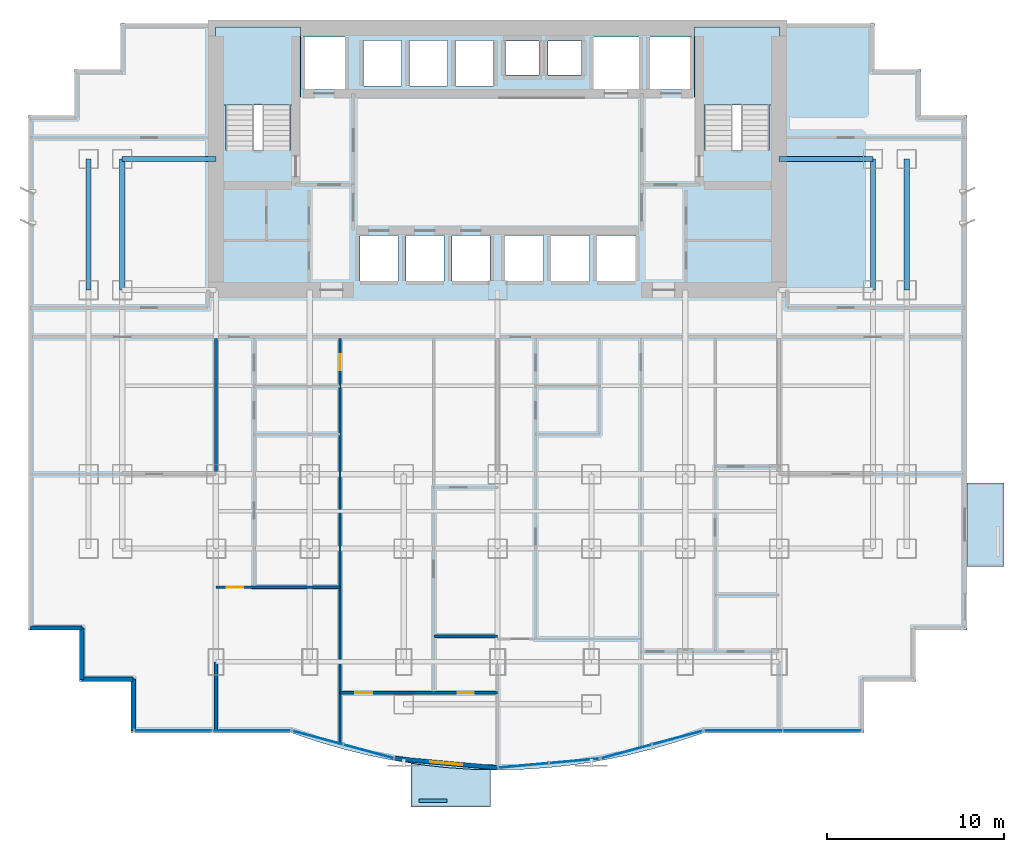
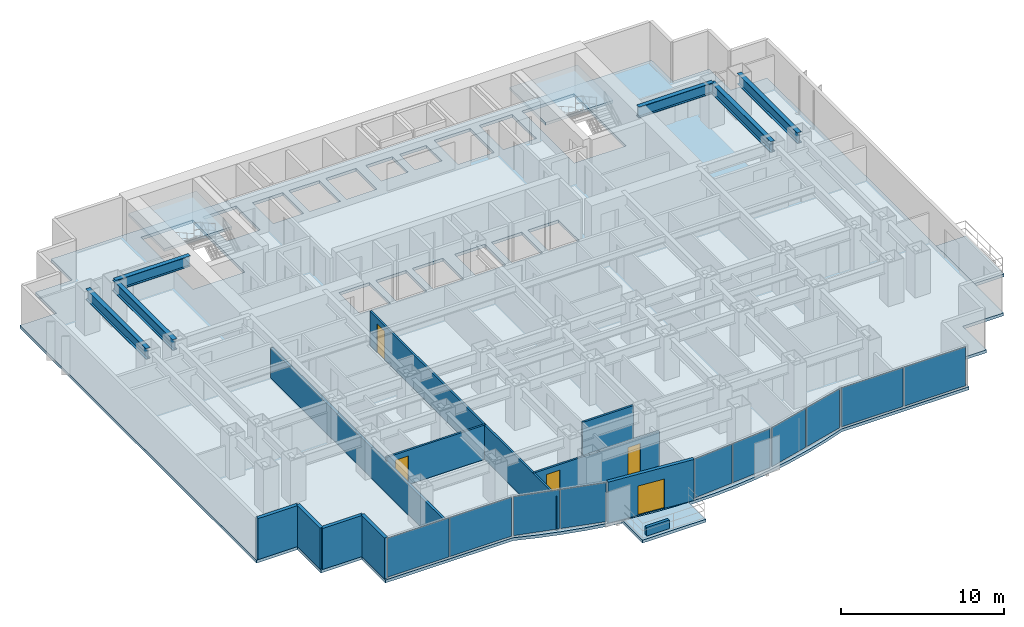
# One storey, part 4 of 10: 11 walls, 10 plates, 6 beams, 5 doors, 5 slabs, 5 openings, 7 elements without a shape of their own.
"""IFC4 building model written with IfcOpenShell, lengths in metres."""

from ifc_helpers import new_model, si_unit, direction, frame, frame_2d, origin, origin_2d, place, context, subcontext, project, spatial, polyline, rectangle, i_section, outline, extrude, source, transform, mapped, material, layer, layer_set, material_profile, profile_set, type_object, element, fill, aggregate, save


model = new_model("IFC4")

# Units and contexts
model_context = context("Model", 3, precision=1e-05, world=origin(), true_north=direction((0.0, 1.0)))
body_context = subcontext(model_context, "Body", "Model", "MODEL_VIEW")
ifc_project = project(units=[si_unit("LENGTHUNIT", "METRE"), si_unit("AREAUNIT", "SQUARE_METRE"), si_unit("VOLUMEUNIT", "CUBIC_METRE"), si_unit("PLANEANGLEUNIT", "RADIAN"), si_unit("MASSUNIT", "GRAM", prefix="KILO")], contexts=[model_context])

# Site, building, storey
site_placement = place(None, origin())
site = spatial("IfcSite", under=ifc_project, at=site_placement, CompositionType="ELEMENT")
building_placement = place(site_placement, origin())
building = spatial("IfcBuilding", under=site, at=building_placement, Name="Qianlan Lanfeng Residences", CompositionType="ELEMENT")
storey_placement = place(building_placement, frame((0.0, 0.0, 50.60009765625)))
storey = spatial("IfcBuildingStorey", under=building, at=storey_placement, Name="L13", CompositionType="ELEMENT", Elevation=50.60009765625)

# Beams
ifc_material_1 = material(Name="Steel SN490B", Category="steel")
ifc_material_profile = material_profile(ifc_material_1, i_section(OverallWidth=0.300048828125, OverallDepth=0.800048828125, WebThickness=0.01611328125, FlangeThickness=0.028076171875, at=origin_2d()), Name="H 800x300x16x28")
ifc_profile_set = profile_set([ifc_material_profile], Name="Steel SN490B")
beam_type = type_object("IfcBeamType", Name="G-950", PredefinedType="BEAM", material=ifc_profile_set)
for number, where, z_axis, x_axis, name in (
    (1, (5.300048828125, 32.60009765625, 2.679931640625), (1.0, 0.0, 0.0), (0.0, 1.0, 0.0), "Structural beam G-950"),
    (2, (42.39990234375, 32.60009765625, 2.679931640625), (1.0, 0.0, 0.0), (0.0, 1.0, 0.0), "Structural beam G-950"),
):
    element("IfcBeam", number, at=place(storey_placement, frame(where, z_axis=z_axis, x_axis=x_axis)), inside=storey, type_object=beam_type, Name=name, PredefinedType="BEAM", context=body_context, shape_type="SweptSolid", body=[
        extrude(i_section(OverallWidth=0.300048828125, OverallDepth=0.800048828125, WebThickness=0.01611328125, FlangeThickness=0.028076171875, at=origin_2d()), origin(), (0.0, 0.0, 1.0), 5.300048828125),
    ])
for number, where, z_axis, x_axis, name in (
    (3, (3.39990234375, 25.199951171875, 2.679931640625), (0.0, 1.0, 0.0), (-1.0, 0.0, 0.0), "Structural beam G-950"),
    (4, (5.300048828125, 25.199951171875, 2.679931640625), (0.0, 1.0, 0.0), (-1.0, 0.0, 0.0), "Structural beam G-950"),
    (5, (47.699951171875, 25.199951171875, 2.679931640625), (0.0, 1.0, 0.0), (-1.0, 0.0, 0.0), "Structural beam G-950"),
    (6, (49.60009765625, 25.199951171875, 2.679931640625), (0.0, 1.0, 0.0), (-1.0, 0.0, 0.0), "Structural beam G-950"),
):
    element("IfcBeam", number, at=place(storey_placement, frame(where, z_axis=z_axis, x_axis=x_axis)), inside=storey, type_object=beam_type, Name=name, PredefinedType="BEAM", context=body_context, shape_type="SweptSolid", body=[
        extrude(i_section(OverallWidth=0.300048828125, OverallDepth=0.800048828125, WebThickness=0.01611328125, FlangeThickness=0.028076171875, at=origin_2d()), origin(), (0.0, 0.0, 1.0), 7.400146484375),
    ])

# Slabs
ifc_material_2 = material(Name="Concrete C42", Category="concrete")
ifc_layer_1 = layer(ifc_material_2, 0.219970703125)
ifc_layer_set_1 = layer_set([ifc_layer_1], Name="Concrete C42")
slab_type_1 = type_object("IfcSlabType", Name="S-BAL-220", PredefinedType="FLOOR", material=ifc_layer_set_1)
slab_1_placement = place(storey_placement, frame((0.0, 0.0, -0.22021484375)))
element("IfcSlab", 7, at=slab_1_placement, inside=storey, type_object=slab_type_1, Name="L13 Planted Tree Balcony Slab SB-C", PredefinedType="FLOOR", context=body_context, shape_type="SweptSolid", body=[
    extrude(outline(polyline([(26.10009765625, -1.89111328125), (25.0439453125, -1.866943359375), (23.5869140625, -1.76904296875), (22.131103515625, -1.60498046875), (21.60009765625, -1.52099609375), (21.60009765625, -4.0), (26.10009765625, -4.0), (26.10009765625, -1.89111328125)])), origin(), (0.0, 0.0, 1.0), 0.22021484375),
])
slab_2_placement = place(storey_placement, frame((0.0, 0.0, -0.22021484375)))
element("IfcSlab", 8, at=slab_2_placement, inside=storey, type_object=slab_type_1, Name="L13 Planted Tree Balcony Slab EB-S", PredefinedType="FLOOR", context=body_context, shape_type="SweptSolid", body=[
    extrude(outline(polyline([(53.0, 14.300048828125), (53.0, 9.60009765625), (55.10009765625, 9.60009765625), (55.10009765625, 14.300048828125), (53.0, 14.300048828125)])), origin(), (0.0, 0.0, 1.0), 0.22021484375),
])
ifc_layer_2 = layer(ifc_material_2, 0.219970703125)
ifc_layer_set_2 = layer_set([ifc_layer_2], Name="Concrete C42")
slab_type_2 = type_object("IfcSlabType", Name="S-FL-220", PredefinedType="FLOOR", material=ifc_layer_set_2)
slab_3_placement = place(storey_placement, frame((0.0, 0.0, -0.22021484375)))
element("IfcSlab", 9, at=slab_3_placement, inside=storey, type_object=slab_type_2, Name="L13 Structural Floor Slab", PredefinedType="FLOOR", context=body_context, shape_type="SweptSolid", body=[
    extrude(outline(polyline([(0.0, 6.0), (2.89990234375, 6.0), (2.89990234375, 3.10009765625), (5.800048828125, 3.10009765625), (5.800048828125, 0.199951171875), (14.85009765625, 0.199951171875), (16.305908203125, -0.2919921875), (17.761962890625, -0.718994140625), (19.218994140625, -1.080078125), (20.675048828125, -1.375), (22.131103515625, -1.60498046875), (23.5869140625, -1.76904296875), (25.0439453125, -1.866943359375), (26.5, -1.89990234375), (27.9560546875, -1.866943359375), (29.412109375, -1.76904296875), (30.868896484375, -1.60498046875), (32.324951171875, -1.375), (33.781005859375, -1.080078125), (35.237060546875, -0.718994140625), (36.694091796875, -0.2919921875), (38.14990234375, 0.199951171875), (47.199951171875, 0.199951171875), (47.199951171875, 3.10009765625), (50.10009765625, 3.10009765625), (50.10009765625, 6.0), (53.0, 6.0), (53.0, 35.050048828125), (50.39990234375, 35.050048828125), (50.39990234375, 37.64990234375), (47.800048828125, 37.64990234375), (47.800048828125, 40.25), (5.199951171875, 40.25), (5.199951171875, 37.64990234375), (2.60009765625, 37.64990234375), (2.60009765625, 35.050048828125), (0.0, 35.050048828125), (0.0, 6.0)]), holes=[polyline([(11.139892578125, 33.080078125), (11.139892578125, 39.5), (14.820068359375, 39.5), (14.820068359375, 33.080078125), (11.139892578125, 33.080078125)]), polyline([(38.179931640625, 33.080078125), (38.179931640625, 39.5), (41.860107421875, 39.5), (41.860107421875, 33.080078125), (38.179931640625, 33.080078125)]), polyline([(15.52001953125, 36.52001953125), (15.52001953125, 39.47998046875), (17.8798828125, 39.47998046875), (17.8798828125, 36.52001953125), (15.52001953125, 36.52001953125)]), polyline([(35.1201171875, 36.52001953125), (35.1201171875, 39.47998046875), (37.47998046875, 39.47998046875), (37.47998046875, 36.52001953125), (35.1201171875, 36.52001953125)]), polyline([(31.919921875, 36.52001953125), (31.919921875, 39.47998046875), (34.47998046875, 39.47998046875), (34.47998046875, 36.52001953125), (31.919921875, 36.52001953125)]), polyline([(18.719970703125, 25.719970703125), (18.719970703125, 28.280029296875), (20.8798828125, 28.280029296875), (20.8798828125, 25.719970703125), (18.719970703125, 25.719970703125)]), polyline([(21.320068359375, 25.719970703125), (21.320068359375, 28.280029296875), (23.47998046875, 28.280029296875), (23.47998046875, 25.719970703125), (21.320068359375, 25.719970703125)]), polyline([(23.919921875, 25.719970703125), (23.919921875, 28.280029296875), (26.080078125, 28.280029296875), (26.080078125, 25.719970703125), (23.919921875, 25.719970703125)]), polyline([(26.919921875, 25.719970703125), (26.919921875, 28.280029296875), (29.080078125, 28.280029296875), (29.080078125, 25.719970703125), (26.919921875, 25.719970703125)]), polyline([(29.52001953125, 25.719970703125), (29.52001953125, 28.280029296875), (31.679931640625, 28.280029296875), (31.679931640625, 25.719970703125), (29.52001953125, 25.719970703125)]), polyline([(32.1201171875, 25.719970703125), (32.1201171875, 28.280029296875), (34.280029296875, 28.280029296875), (34.280029296875, 25.719970703125), (32.1201171875, 25.719970703125)]), polyline([(18.919921875, 36.719970703125), (18.919921875, 39.280029296875), (21.080078125, 39.280029296875), (21.080078125, 36.719970703125), (18.919921875, 36.719970703125)]), polyline([(21.52001953125, 36.719970703125), (21.52001953125, 39.280029296875), (23.679931640625, 39.280029296875), (23.679931640625, 36.719970703125), (21.52001953125, 36.719970703125)]), polyline([(24.1201171875, 36.719970703125), (24.1201171875, 39.280029296875), (26.280029296875, 39.280029296875), (26.280029296875, 36.719970703125), (24.1201171875, 36.719970703125)]), polyline([(26.949951171875, 37.35009765625), (26.949951171875, 39.25), (28.85009765625, 39.25), (28.85009765625, 37.35009765625), (26.949951171875, 37.35009765625)]), polyline([(29.35009765625, 37.35009765625), (29.35009765625, 39.25), (31.25, 39.25), (31.25, 37.35009765625), (29.35009765625, 37.35009765625)])]), origin(), (0.0, 0.0, 1.0), 0.22021484375),
])

# Stair, slab
stair_type = type_object("IfcStairType", Name="STR-MAIN", PredefinedType="HALF_TURN_STAIR", material=ifc_material_2)
stair_1_placement = place(storey_placement, origin())
stair_1 = element("IfcStair", 10, at=stair_1_placement, inside=storey, type_object=stair_type, Name="L13 Exit Stair ST-1", PredefinedType="HALF_TURN_STAIR")
ifc_layer_3 = layer(ifc_material_2, 0.179931640625)
ifc_layer_set_3 = layer_set([ifc_layer_3], Name="Concrete C42")
slab_type_3 = type_object("IfcSlabType", Name="S-LND-180", PredefinedType="LANDING", material=ifc_layer_set_3)
slab_4_placement = place(storey_placement, frame((0.0, 0.0, 1.449951171875)))
slab_4 = element("IfcSlab", 11, at=slab_4_placement, type_object=slab_type_3, Name="ST-1 landing 1", PredefinedType="LANDING", context=body_context, shape_type="SweptSolid", body=[
    extrude(outline(polyline([(10.580078125, 35.659912109375), (15.3798828125, 35.659912109375), (15.3798828125, 40.050048828125), (10.580078125, 40.050048828125), (10.580078125, 35.659912109375)])), origin(), (0.0, 0.0, 1.0), 0.199951171875),
])
aggregate(stair_1, [slab_4])

stair_2_placement = place(storey_placement, origin())
stair_2 = element("IfcStair", 12, at=stair_2_placement, inside=storey, type_object=stair_type, Name="L13 Exit Stair ST-2", PredefinedType="HALF_TURN_STAIR")
slab_5_placement = place(storey_placement, frame((0.0, 0.0, 1.449951171875)))
slab_5 = element("IfcSlab", 13, at=slab_5_placement, type_object=slab_type_3, Name="ST-2 landing 1", PredefinedType="LANDING", context=body_context, shape_type="SweptSolid", body=[
    extrude(outline(polyline([(37.6201171875, 35.659912109375), (42.419921875, 35.659912109375), (42.419921875, 40.050048828125), (37.6201171875, 40.050048828125), (37.6201171875, 35.659912109375)])), origin(), (0.0, 0.0, 1.0), 0.199951171875),
])
aggregate(stair_2, [slab_5])

# Curtain wall, plate
ifc_material_3 = material(Name="Anodised Bronze Aluminium 6063-T6", Category="aluminium")
ifc_layer_4 = layer(ifc_material_3, 0.219970703125)
ifc_layer_set_4 = layer_set([ifc_layer_4], Name="Anodised Bronze Aluminium 6063-T6")
curtain_wall_type = type_object("IfcCurtainWallType", Name="CW-02", PredefinedType="NOTDEFINED", material=ifc_layer_set_4)
curtain_wall_1_placement = place(storey_placement, origin())
curtain_wall_1 = element("IfcCurtainWall", 14, at=curtain_wall_1_placement, inside=storey, type_object=curtain_wall_type, Name="L13 Unitised Curtain Wall CWR-L13-02 (CW-02)", PredefinedType="NOTDEFINED")
ifc_material_4 = material(Name="Dark Bronze Tinted Insulated Glass", Category="glass")
ifc_layer_5 = layer(ifc_material_4, 0.0380859375)
ifc_layer_set_5 = layer_set([ifc_layer_5], Name="Dark Bronze Tinted Insulated Glass")
plate_type_1 = type_object("IfcPlateType", Name="PNL-GLZ-BRZ", PredefinedType="CURTAIN_PANEL", material=ifc_layer_set_5)
shared_shape_1 = source(origin(), body_context, "Body", "SweptSolid", [
    extrude(rectangle(XDim=2.89990234375, YDim=0.0380859375, at=origin_2d()), origin(), (0.0, 0.0, 1.0), 2.922119140625),
])
plate_1_placement = place(storey_placement, frame((16.345703125, -0.07958984375, 0.07861328125), z_axis=(0.0, 0.0, 1.0), x_axis=(0.9652627173, -0.261281240412, 0.0)))
plate_1 = element("IfcPlate", 15, at=plate_1_placement, type_object=plate_type_1, Name="CWR-L13-02 Curtain Panel 1", PredefinedType="CURTAIN_PANEL", context=body_context, shape_type="MappedRepresentation", body=[
    mapped(shared_shape_1, transform((0.0, 0.0, 0.0), scale=1.0)),
])

curtain_wall_2_placement = place(storey_placement, origin())
curtain_wall_2 = element("IfcCurtainWall", 16, at=curtain_wall_2_placement, inside=storey, type_object=curtain_wall_type, Name="L13 Unitised Curtain Wall CWR-L13-04 (CW-02)", PredefinedType="NOTDEFINED")
plate_2_placement = place(storey_placement, frame((33.77978515625, -0.857421875, 0.07861328125), z_axis=(0.0, 0.0, 1.0), x_axis=(0.9652627173, 0.261281240412, 0.0)))
plate_2 = element("IfcPlate", 17, at=plate_2_placement, type_object=plate_type_1, Name="CWR-L13-04 Curtain Panel 1", PredefinedType="CURTAIN_PANEL", context=body_context, shape_type="MappedRepresentation", body=[
    mapped(shared_shape_1, transform((0.0, 0.0, 0.0), scale=1.0)),
])

# Curtain wall, plates
curtain_wall_3_placement = place(storey_placement, origin())
curtain_wall_3 = element("IfcCurtainWall", 18, at=curtain_wall_3_placement, inside=storey, type_object=curtain_wall_type, Name="L13 Unitised Curtain Wall CWR-L13-03 (CW-02)", PredefinedType="NOTDEFINED")
shared_shape_2 = source(origin(), body_context, "Body", "SweptSolid", [
    extrude(rectangle(XDim=2.7958984375, YDim=0.0380859375, at=origin_2d()), origin(), (0.0, 0.0, 1.0), 2.922119140625),
])
plate_3_placement = place(storey_placement, frame((27.970947265625, -1.6474609375, 0.07861328125), z_axis=(0.0, 0.0, 1.0), x_axis=(0.995964677764, 0.089746089862, 0.0)))
plate_3 = element("IfcPlate", 19, at=plate_3_placement, type_object=plate_type_1, Name="CWR-L13-03 Curtain Panel 1", PredefinedType="CURTAIN_PANEL", context=body_context, shape_type="MappedRepresentation", body=[
    mapped(shared_shape_2, transform((0.0, 0.0, 0.0), scale=1.0)),
])
shared_shape_3 = source(origin(), body_context, "Body", "SweptSolid", [
    extrude(rectangle(XDim=2.795654296875, YDim=0.0380859375, at=origin_2d()), origin(), (0.0, 0.0, 1.0), 2.922119140625),
])
plate_4_placement = place(storey_placement, frame((30.8330078125, -1.389404296875, 0.07861328125), z_axis=(0.0, 0.0, 1.0), x_axis=(0.995964677764, 0.089746089862, 0.0)))
plate_4 = element("IfcPlate", 20, at=plate_4_placement, type_object=plate_type_1, Name="CWR-L13-03 Curtain Panel 2", PredefinedType="CURTAIN_PANEL", context=body_context, shape_type="MappedRepresentation", body=[
    mapped(shared_shape_3, transform((0.0, 0.0, 0.0), scale=1.0)),
])
aggregate(curtain_wall_3, [plate_3, plate_4])

# Plate
ifc_material_5 = material(Name="Perforated Anodised Bronze Aluminium Panel", Category="aluminium")
ifc_layer_6 = layer(ifc_material_5, 0.0419921875)
ifc_layer_set_6 = layer_set([ifc_layer_6], Name="Perforated Anodised Bronze Aluminium Panel")
plate_type_2 = type_object("IfcPlateType", Name="PNL-PRF-BRZ", PredefinedType="CURTAIN_PANEL", material=ifc_layer_set_6)
shared_shape_4 = source(origin(), body_context, "Body", "SweptSolid", [
    extrude(rectangle(XDim=2.89990234375, YDim=0.0419921875, at=origin_2d()), origin(), (0.0, 0.0, 1.0), 2.922119140625),
])
plate_5_placement = place(storey_placement, frame((19.22021484375, -0.857421875, 0.07861328125), z_axis=(0.0, 0.0, 1.0), x_axis=(0.9652627173, -0.261281240412, 0.0)))
plate_5 = element("IfcPlate", 21, at=plate_5_placement, type_object=plate_type_2, Name="CWR-L13-02 Curtain Panel 2", PredefinedType="CURTAIN_PANEL", context=body_context, shape_type="MappedRepresentation", body=[
    mapped(shared_shape_4, transform((0.0, 0.0, 0.0), scale=1.0)),
])

aggregate(curtain_wall_1, [plate_1, plate_5])

plate_6_placement = place(storey_placement, frame((36.654296875, -0.07958984375, 0.07861328125), z_axis=(0.0, 0.0, 1.0), x_axis=(0.9652627173, 0.261281240412, 0.0)))
plate_6 = element("IfcPlate", 22, at=plate_6_placement, type_object=plate_type_2, Name="CWR-L13-04 Curtain Panel 2", PredefinedType="CURTAIN_PANEL", context=body_context, shape_type="MappedRepresentation", body=[
    mapped(shared_shape_4, transform((0.0, 0.0, 0.0), scale=1.0)),
])

aggregate(curtain_wall_2, [plate_2, plate_6])

# Curtain wall, plates
curtain_wall_4_placement = place(storey_placement, origin())
curtain_wall_4 = element("IfcCurtainWall", 23, at=curtain_wall_4_placement, inside=storey, type_object=curtain_wall_type, Name="L13 Unitised Curtain Wall CWR-L13-01 (CW-02)", PredefinedType="NOTDEFINED")
shared_shape_5 = source(origin(), body_context, "Body", "SweptSolid", [
    extrude(rectangle(XDim=4.35693359375, YDim=0.0380859375, at=origin_2d()), origin(), (0.0, 0.0, 1.0), 2.922119140625),
])
plate_7_placement = place(storey_placement, frame((8.177490234375, 0.320068359375, 0.07861328125), z_axis=(0.0, 0.0, 1.0), x_axis=(1.0, 0.0, 0.0)))
plate_7 = element("IfcPlate", 24, at=plate_7_placement, type_object=plate_type_1, Name="CWR-L13-01 Curtain Panel 1", PredefinedType="CURTAIN_PANEL", context=body_context, shape_type="MappedRepresentation", body=[
    mapped(shared_shape_5, transform((0.0, 0.0, 0.0), scale=1.0)),
])
plate_8_placement = place(storey_placement, frame((12.612548828125, 0.320068359375, 0.07861328125), z_axis=(0.0, 0.0, 1.0), x_axis=(1.0, 0.0, 0.0)))
plate_8 = element("IfcPlate", 25, at=plate_8_placement, type_object=plate_type_1, Name="CWR-L13-01 Curtain Panel 2", PredefinedType="CURTAIN_PANEL", context=body_context, shape_type="MappedRepresentation", body=[
    mapped(shared_shape_5, transform((0.0, 0.0, 0.0), scale=1.0)),
])
aggregate(curtain_wall_4, [plate_7, plate_8])

curtain_wall_5_placement = place(storey_placement, origin())
curtain_wall_5 = element("IfcCurtainWall", 26, at=curtain_wall_5_placement, inside=storey, type_object=curtain_wall_type, Name="L13 Unitised Curtain Wall CWR-L13-05 (CW-02)", PredefinedType="NOTDEFINED")
plate_9_placement = place(storey_placement, frame((40.387451171875, 0.320068359375, 0.07861328125), z_axis=(0.0, 0.0, 1.0), x_axis=(1.0, 0.0, 0.0)))
plate_9 = element("IfcPlate", 27, at=plate_9_placement, type_object=plate_type_1, Name="CWR-L13-05 Curtain Panel 1", PredefinedType="CURTAIN_PANEL", context=body_context, shape_type="MappedRepresentation", body=[
    mapped(shared_shape_5, transform((0.0, 0.0, 0.0), scale=1.0)),
])
plate_10_placement = place(storey_placement, frame((44.822509765625, 0.320068359375, 0.07861328125), z_axis=(0.0, 0.0, 1.0), x_axis=(1.0, 0.0, 0.0)))
plate_10 = element("IfcPlate", 28, at=plate_10_placement, type_object=plate_type_1, Name="CWR-L13-05 Curtain Panel 2", PredefinedType="CURTAIN_PANEL", context=body_context, shape_type="MappedRepresentation", body=[
    mapped(shared_shape_5, transform((0.0, 0.0, 0.0), scale=1.0)),
])
aggregate(curtain_wall_5, [plate_9, plate_10])

# Walls
ifc_layer_7 = layer(ifc_material_2, 0.239990234375)
ifc_layer_set_7 = layer_set([ifc_layer_7], Name="Concrete C42")
wall_type_1 = type_object("IfcWallType", Name="EW-240", PredefinedType="SOLIDWALL", material=ifc_layer_set_7)
wall_1_placement = place(storey_placement, frame((0.1201171875, 6.1201171875, 0.0), z_axis=(0.0, 0.0, 1.0), x_axis=(1.0, 0.0, 0.0)))
element("IfcWall", 29, at=wall_1_placement, inside=storey, type_object=wall_type_1, Name="L13 Exterior Facade Spandrel Wall 1", PredefinedType="SOLIDWALL", context=body_context, shape_type="SweptSolid", body=[
    extrude(rectangle(XDim=2.89990234375, YDim=0.239990234375, at=frame_2d((1.449951171875, 0.0))), origin(), (0.0, 0.0, 1.0), 3.079833984375),
])
wall_2_placement = place(storey_placement, frame((3.02001953125, 6.1201171875, 0.0), z_axis=(0.0, 0.0, 1.0), x_axis=(0.0, -1.0, 0.0)))
element("IfcWall", 30, at=wall_2_placement, inside=storey, type_object=wall_type_1, Name="L13 Exterior Facade Spandrel Wall 2", PredefinedType="SOLIDWALL", context=body_context, shape_type="SweptSolid", body=[
    extrude(rectangle(XDim=2.900146484375, YDim=0.239990234375, at=frame_2d((1.4501953125, 0.0))), origin(), (0.0, 0.0, 1.0), 3.079833984375),
])
for number, where, z_axis, x_axis, name in (
    (31, (3.02001953125, 3.219970703125, 0.0), (0.0, 0.0, 1.0), (1.0, 0.0, 0.0), "L13 Exterior Facade Spandrel Wall 3"),
    (32, (5.919921875, 3.219970703125, 0.0), (0.0, 0.0, 1.0), (0.0, -1.0, 0.0), "L13 Exterior Facade Spandrel Wall 4"),
):
    element("IfcWall", number, at=place(storey_placement, frame(where, z_axis=z_axis, x_axis=x_axis)), inside=storey, type_object=wall_type_1, Name=name, PredefinedType="SOLIDWALL", context=body_context, shape_type="SweptSolid", body=[
        extrude(rectangle(XDim=2.89990234375, YDim=0.239990234375, at=frame_2d((1.449951171875, 0.0))), origin(), (0.0, 0.0, 1.0), 3.079833984375),
    ])

# Wall, opening, door
wall_3_placement = place(storey_placement, frame((20.696044921875, -1.257080078125, 0.0), z_axis=(0.0, 0.0, 1.0), x_axis=(0.995965344947, -0.089738685436, 0.0)))
wall_3 = element("IfcWall", 33, at=wall_3_placement, inside=storey, type_object=wall_type_1, Name="L13 Terrace/Balcony Access Exterior Wall 5", PredefinedType="SOLIDWALL", context=body_context, shape_type="SweptSolid", body=[
    extrude(rectangle(XDim=5.827392578125, YDim=0.239990234375, at=frame_2d((2.91357421875, 0.0))), origin(), (0.0, 0.0, 1.0), 3.079833984375),
])
opening_1_placement = place(wall_3_placement, frame((2.013916015625, 0.0, 0.0)))
opening_1 = element("IfcOpeningElement", 34, at=opening_1_placement, cuts=wall_3, Name="Opening L13-D-SB-C", PredefinedType="OPENING", context=body_context, shape_type="SweptSolid", body=[
    extrude(rectangle(XDim=1.800048828125, YDim=2.199951171875, at=frame_2d((0.89990234375, 1.10009765625))), frame((0.0, 0.1298828125, 0.0), z_axis=(0.0, -1.0, 0.0), x_axis=(1.0, 0.0, 0.0)), (0.0, 0.0, 1.0), 0.260009765625),
])
ifc_material_6 = material(Name="Anodised Bronze Aluminium Framed Glass", Category="aluminium")
door_type_1 = type_object("IfcDoorType", Name="DT-BAL1", OperationType="NOTDEFINED", PredefinedType="DOOR", material=ifc_material_6)
door_1_placement = place(opening_1_placement, frame((1.800048828125, 0.0, 0.0), z_axis=(0.0, 0.0, 1.0), x_axis=(-1.0, 0.0, 0.0)))
door_1 = element("IfcDoor", 35, at=door_1_placement, inside=storey, type_object=door_type_1, Name="L13 Exterior Access Door SB-C", OperationType="DOUBLE_DOOR_SLIDING", OverallHeight=2.199951171875, OverallWidth=1.800048828125, PredefinedType="DOOR", context=body_context, shape_type="SweptSolid", body=[
    extrude(rectangle(XDim=1.800048828125, YDim=2.199951171875, at=frame_2d((0.89990234375, 1.10009765625))), frame((0.0, 0.02490234375, 0.0), z_axis=(0.0, -1.0, 0.0), x_axis=(1.0, 0.0, 0.0)), (0.0, 0.0, 1.0), 0.050048828125),
])
fill(opening_1, door_1)

# Wall
ifc_layer_8 = layer(ifc_material_2, 0.199951171875)
ifc_layer_set_8 = layer_set([ifc_layer_8], Name="Concrete C42")
wall_type_2 = type_object("IfcWallType", Name="PL-TREE-200", PredefinedType="PARAPET", material=ifc_layer_set_8)
wall_4_placement = place(storey_placement, frame((22.050048828125, -3.64990234375, 0.0), z_axis=(0.0, 0.0, 1.0), x_axis=(1.0, 0.0, 0.0)))
element("IfcWall", 36, at=wall_4_placement, inside=storey, type_object=wall_type_2, Name="L13 Balcony Tree Planter Curb SB-C", PredefinedType="PARAPET", context=body_context, shape_type="SweptSolid", body=[
    extrude(rectangle(XDim=1.599853515625, YDim=0.199951171875, at=frame_2d((0.7998046875, 0.0))), origin(), (0.0, 0.0, 1.0), 0.64990234375),
])

# Wall, opening, door
ifc_material_7 = material(Name="Moisture-Resistant Gypsum Partition 135 mm")
ifc_layer_9 = layer(ifc_material_7, 0.135009765625)
ifc_layer_set_9 = layer_set([ifc_layer_9], Name="Moisture-Resistant Gypsum Partition 135 mm")
wall_type_3 = type_object("IfcWallType", Name="PW-135", PredefinedType="PARTITIONING", material=ifc_layer_set_9)
wall_5_placement = place(storey_placement, frame((17.60009765625, -0.44189453125, 0.0), z_axis=(0.0, 0.0, 1.0), x_axis=(0.0, 1.0, 0.0)))
wall_5 = element("IfcWall", 37, at=wall_5_placement, inside=storey, type_object=wall_type_3, Name="L13 U01 Bay Spine Wall 1", PredefinedType="PARTITIONING", context=body_context, shape_type="SweptSolid", body=[
    extrude(rectangle(XDim=22.891845703125, YDim=0.135009765625, at=frame_2d((11.44580078125, 0.0))), origin(), (0.0, 0.0, 1.0), 2.56982421875),
])
opening_2_placement = place(wall_5_placement, frame((21.10693359375, 0.0, 0.0)))
opening_2 = element("IfcOpeningElement", 38, at=opening_2_placement, cuts=wall_5, Name="Opening L13-D17", PredefinedType="OPENING", context=body_context, shape_type="SweptSolid", body=[
    extrude(rectangle(XDim=0.919921875, YDim=2.14990234375, at=frame_2d((0.4599609375, 1.074951171875))), frame((0.0, 0.07763671875, 0.0), z_axis=(0.0, -1.0, 0.0), x_axis=(1.0, 0.0, 0.0)), (0.0, 0.0, 1.0), 0.155029296875),
])
ifc_material_8 = material(Name="Glazed Timber Kitchen/Study Door", Category="wood")
door_type_2 = type_object("IfcDoorType", Name="DT-INT", OperationType="NOTDEFINED", PredefinedType="DOOR", material=ifc_material_8)
door_2_placement = place(opening_2_placement, origin())
door_2 = element("IfcDoor", 39, at=door_2_placement, inside=storey, type_object=door_type_2, Name="L13 U01 Internal Hall Door L13-D17 (DT-INT)", OperationType="SINGLE_SWING_LEFT", OverallHeight=2.14990234375, OverallWidth=0.919921875, PredefinedType="DOOR", context=body_context, shape_type="SweptSolid", body=[
    extrude(rectangle(XDim=0.919921875, YDim=2.14990234375, at=frame_2d((0.4599609375, 1.074951171875))), frame((0.0, 0.02490234375, 0.0), z_axis=(0.0, -1.0, 0.0), x_axis=(1.0, 0.0, 0.0)), (0.0, 0.0, 1.0), 0.050048828125),
])
fill(opening_2, door_2)

wall_6_placement = place(storey_placement, frame((10.60009765625, 8.419921875, 0.0), z_axis=(0.0, 0.0, 1.0), x_axis=(1.0, 0.0, 0.0)))
wall_6 = element("IfcWall", 40, at=wall_6_placement, inside=storey, type_object=wall_type_3, Name="L13 U01 Living Divider", PredefinedType="PARTITIONING", context=body_context, shape_type="SweptSolid", body=[
    extrude(rectangle(XDim=7.0, YDim=0.135009765625, at=frame_2d((3.5, 0.0))), origin(), (0.0, 0.0, 1.0), 2.56982421875),
])
opening_3_placement = place(wall_6_placement, frame((0.614990234375, 0.0, 0.0)))
opening_3 = element("IfcOpeningElement", 41, at=opening_3_placement, cuts=wall_6, Name="Opening L13-D18", PredefinedType="OPENING", context=body_context, shape_type="SweptSolid", body=[
    extrude(rectangle(XDim=0.919921875, YDim=2.14990234375, at=frame_2d((0.4599609375, 1.074951171875))), frame((0.0, 0.07763671875, 0.0), z_axis=(0.0, -1.0, 0.0), x_axis=(1.0, 0.0, 0.0)), (0.0, 0.0, 1.0), 0.155029296875),
])
door_3_placement = place(opening_3_placement, frame((0.919921875, 0.0, 0.0), z_axis=(0.0, 0.0, 1.0), x_axis=(-1.0, 0.0, 0.0)))
door_3 = element("IfcDoor", 42, at=door_3_placement, inside=storey, type_object=door_type_2, Name="L13 U01 Living Passage Door L13-D18 (DT-INT)", OperationType="SINGLE_SWING_RIGHT", OverallHeight=2.14990234375, OverallWidth=0.919921875, PredefinedType="DOOR", context=body_context, shape_type="SweptSolid", body=[
    extrude(rectangle(XDim=0.919921875, YDim=2.14990234375, at=frame_2d((0.4599609375, 1.074951171875))), frame((0.0, 0.02490234375, 0.0), z_axis=(0.0, -1.0, 0.0), x_axis=(1.0, 0.0, 0.0)), (0.0, 0.0, 1.0), 0.050048828125),
])
fill(opening_3, door_3)

# Wall, openings, doors
wall_7_placement = place(storey_placement, frame((17.60009765625, 2.450927734375, 0.0), z_axis=(0.0, 0.0, 1.0), x_axis=(1.0, 0.0, 0.0)))
wall_7 = element("IfcWall", 43, at=wall_7_placement, inside=storey, type_object=wall_type_3, Name="L13 U01 Master Bedroom North Wall", PredefinedType="PARTITIONING", context=body_context, shape_type="SweptSolid", body=[
    extrude(rectangle(XDim=8.89990234375, YDim=0.135009765625, at=frame_2d((4.449951171875, 0.0))), origin(), (0.0, 0.0, 1.0), 2.56982421875),
])
opening_4_placement = place(wall_7_placement, frame((0.875, 0.0, 0.0)))
opening_4 = element("IfcOpeningElement", 44, at=opening_4_placement, cuts=wall_7, Name="Opening L13-D22", PredefinedType="OPENING", context=body_context, shape_type="SweptSolid", body=[
    extrude(rectangle(XDim=0.949951171875, YDim=2.14990234375, at=frame_2d((0.47509765625, 1.074951171875))), frame((0.0, 0.07763671875, 0.0), z_axis=(0.0, -1.0, 0.0), x_axis=(1.0, 0.0, 0.0)), (0.0, 0.0, 1.0), 0.155029296875),
])
opening_5_placement = place(wall_7_placement, frame((6.64990234375, 0.0, 0.0)))
opening_5 = element("IfcOpeningElement", 45, at=opening_5_placement, cuts=wall_7, Name="Opening L13-D23", PredefinedType="OPENING", context=body_context, shape_type="SweptSolid", body=[
    extrude(rectangle(XDim=0.89990234375, YDim=2.14990234375, at=frame_2d((0.449951171875, 1.074951171875))), frame((0.0, 0.07763671875, 0.0), z_axis=(0.0, -1.0, 0.0), x_axis=(1.0, 0.0, 0.0)), (0.0, 0.0, 1.0), 0.155029296875),
])
ifc_material_9 = material(Name="Painted Solid-Core Timber Leaf", Category="wood")
door_type_3 = type_object("IfcDoorType", Name="DT-BED", OperationType="NOTDEFINED", PredefinedType="DOOR", material=ifc_material_9)
door_4_placement = place(opening_4_placement, origin())
door_4 = element("IfcDoor", 46, at=door_4_placement, inside=storey, type_object=door_type_3, Name="L13 U01 Master Bedroom Door L13-D22 (DT-BED)", OperationType="SINGLE_SWING_RIGHT", OverallHeight=2.14990234375, OverallWidth=0.949951171875, PredefinedType="DOOR", context=body_context, shape_type="SweptSolid", body=[
    extrude(rectangle(XDim=0.949951171875, YDim=2.14990234375, at=frame_2d((0.47509765625, 1.074951171875))), frame((0.0, 0.02490234375, 0.0), z_axis=(0.0, -1.0, 0.0), x_axis=(1.0, 0.0, 0.0)), (0.0, 0.0, 1.0), 0.050048828125),
])
fill(opening_4, door_4)
ifc_material_10 = material(Name="Moisture-Resistant Timber Leaf", Category="wood")
door_type_4 = type_object("IfcDoorType", Name="DT-WC", OperationType="NOTDEFINED", PredefinedType="DOOR", material=ifc_material_10)
door_5_placement = place(opening_5_placement, origin())
door_5 = element("IfcDoor", 47, at=door_5_placement, inside=storey, type_object=door_type_4, Name="L13 U01 En-Suite Bathroom Door L13-D23 (DT-WC)", OperationType="SINGLE_SWING_LEFT", OverallHeight=2.14990234375, OverallWidth=0.89990234375, PredefinedType="DOOR", context=body_context, shape_type="SweptSolid", body=[
    extrude(rectangle(XDim=0.89990234375, YDim=2.14990234375, at=frame_2d((0.449951171875, 1.074951171875))), frame((0.0, 0.02490234375, 0.0), z_axis=(0.0, -1.0, 0.0), x_axis=(1.0, 0.0, 0.0)), (0.0, 0.0, 1.0), 0.050048828125),
])
fill(opening_5, door_5)

# Walls
wall_8_placement = place(storey_placement, frame((22.89990234375, 5.65087890625, 0.0), z_axis=(0.0, 0.0, 1.0), x_axis=(1.0, 0.0, 0.0)))
element("IfcWall", 48, at=wall_8_placement, inside=storey, type_object=wall_type_3, Name="L13 U01 En-Suite North Wall", PredefinedType="PARTITIONING", context=body_context, shape_type="SweptSolid", body=[
    extrude(rectangle(XDim=3.60009765625, YDim=0.135009765625, at=frame_2d((1.800048828125, 0.0))), origin(), (0.0, 0.0, 1.0), 2.56982421875),
])
ifc_material_11 = material(Name="Double-Layer Acoustic Gypsum Stud Wall 180 mm")
ifc_layer_10 = layer(ifc_material_11, 0.179931640625)
ifc_layer_set_10 = layer_set([ifc_layer_10], Name="Double-Layer Acoustic Gypsum Stud Wall 180 mm")
wall_type_4 = type_object("IfcWallType", Name="PW-180", PredefinedType="PARTITIONING", material=ifc_layer_set_10)
wall_9_placement = place(storey_placement, frame((10.60009765625, 0.419921875, 0.0), z_axis=(0.0, 0.0, 1.0), x_axis=(0.0, 1.0, 0.0)))
element("IfcWall", 49, at=wall_9_placement, inside=storey, type_object=wall_type_4, Name="L13 Wing Boundary Party Wall W0", PredefinedType="PARTITIONING", context=body_context, shape_type="SweptSolid", body=[
    extrude(rectangle(XDim=22.030029296875, YDim=0.179931640625, at=frame_2d((11.01513671875, 0.0))), origin(), (0.0, 0.0, 1.0), 2.27490234375),
])

save(model, "model.ifc")
